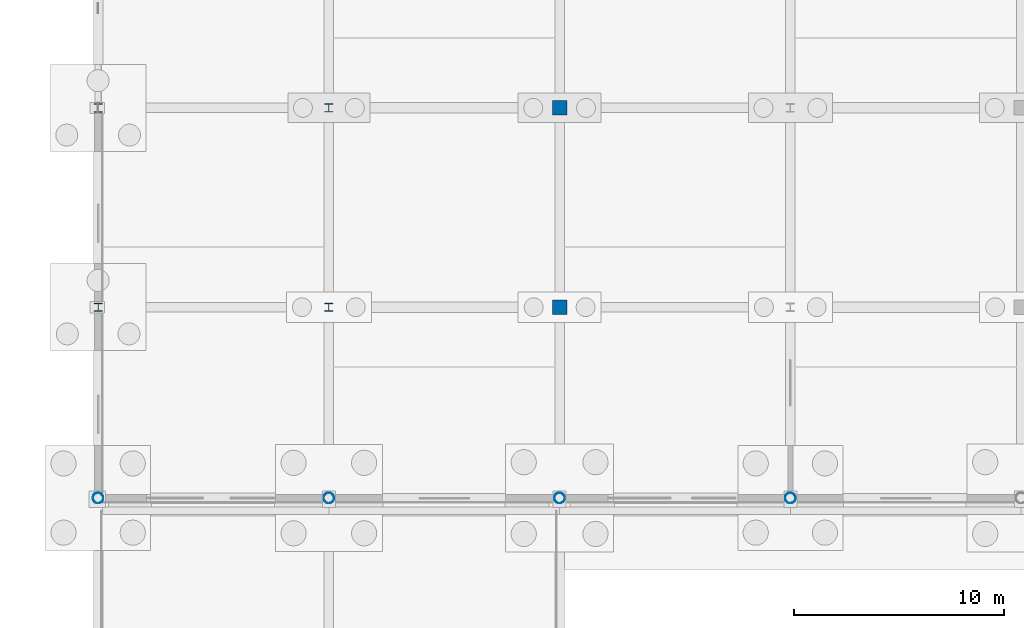
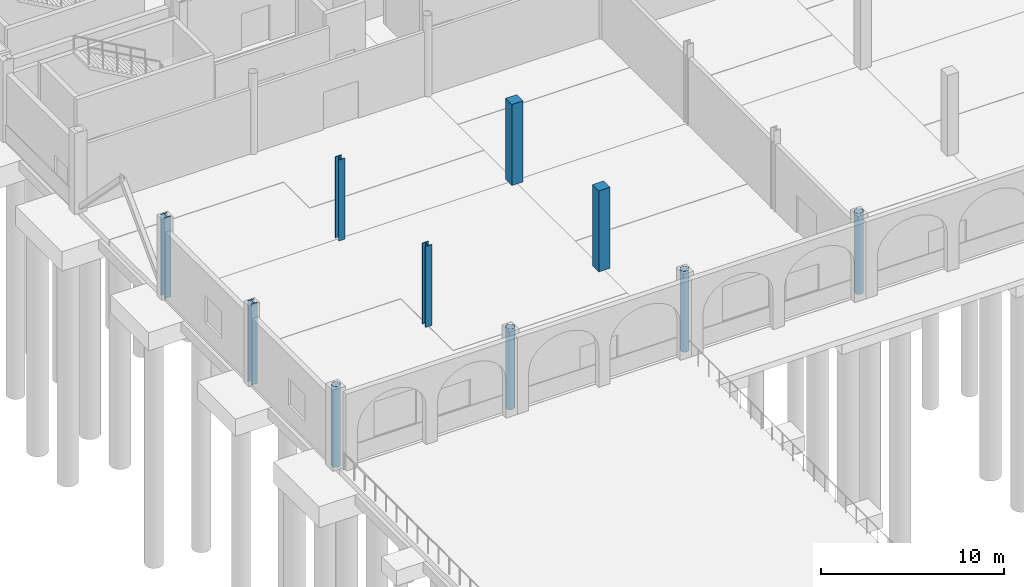
# One storey, part 15 of 83: 10 columns.
"""IFC4 building model written with IfcOpenShell, lengths in metres."""

from ifc_helpers import new_model, si_unit, direction, frame, origin, origin_2d, place, context, subcontext, project, spatial, rectangle, hollow_circle, i_section, extrude, material, material_profile, profile_set, type_object, element, save


model = new_model("IFC4")

# Units and contexts
model_context = context("Model", 3, precision=1e-05, world=origin(), true_north=direction((0.0, 1.0)))
body_context = subcontext(model_context, "Body", "Model", "MODEL_VIEW")
ifc_project = project(units=[si_unit("LENGTHUNIT", "METRE"), si_unit("AREAUNIT", "SQUARE_METRE"), si_unit("VOLUMEUNIT", "CUBIC_METRE"), si_unit("PLANEANGLEUNIT", "RADIAN"), si_unit("MASSUNIT", "GRAM", prefix="KILO")], contexts=[model_context])

# Site, building, storey
site_placement = place(None, origin())
site = spatial("IfcSite", under=ifc_project, at=site_placement, CompositionType="ELEMENT")
building_placement = place(site_placement, origin())
building = spatial("IfcBuilding", under=site, at=building_placement, Name="Caurita Quay Ferry Terminal", CompositionType="ELEMENT")
storey_placement = place(building_placement, origin())
storey = spatial("IfcBuildingStorey", under=building, at=storey_placement, Name="L00", CompositionType="ELEMENT", Elevation=0.0)

# Columns
ifc_material_1 = material(Name="Hollow structural steel ASTM A500 Gr. C", Category="steel")
ifc_material_profile_1 = material_profile(ifc_material_1, hollow_circle(Radius=0.25390625, WallThickness=0.01171875, at=origin_2d()), Name="HSS20.000X0.500")
ifc_profile_set_1 = profile_set([ifc_material_profile_1], Name="Hollow structural steel ASTM A500 Gr. C")
column_type_1 = type_object("IfcColumnType", Name="COL-MST-01", PredefinedType="COLUMN", material=ifc_profile_set_1)
for number, where, z_axis, x_axis, name in (
    (1, (0.0, 34.60009765625, 0.0), (0.0, 0.0, 1.0), (1.0, 0.0, 0.0), "L00 Column V1-MST-01-S"),
    (2, (11.0, 34.60009765625, 0.0), (0.0, 0.0, 1.0), (1.0, 0.0, 0.0), "L00 Column V1-MST-02-S"),
    (3, (22.0, 34.60009765625, 0.0), (0.0, 0.0, 1.0), (1.0, 0.0, 0.0), "L00 Column V1-MST-03-S"),
    (4, (33.0, 34.60009765625, 0.0), (0.0, 0.0, 1.0), (1.0, 0.0, 0.0), "L00 Column V1-MST-04-S"),
):
    element("IfcColumn", number, at=place(storey_placement, frame(where, z_axis=z_axis, x_axis=x_axis)), inside=storey, type_object=column_type_1, Name=name, PredefinedType="COLUMN", context=body_context, shape_type="SweptSolid", body=[
        extrude(hollow_circle(Radius=0.25390625, WallThickness=0.01171875, at=origin_2d()), origin(), (0.0, 0.0, 1.0), 5.39990234375),
    ])
ifc_material_2 = material(Name="Reinforced concrete C35/45", Category="concrete")
ifc_material_profile_2 = material_profile(ifc_material_2, rectangle(XDim=0.699951171875, YDim=0.699951171875, at=origin_2d()), Name="RC-COL-700X700")
ifc_profile_set_2 = profile_set([ifc_material_profile_2], Name="Reinforced concrete C35/45")
column_type_2 = type_object("IfcColumnType", Name="COL-RC-700", PredefinedType="COLUMN", material=ifc_profile_set_2)
for number, where, z_axis, x_axis, name in (
    (5, (22.0, 43.699951171875, 0.0), (0.0, 0.0, 1.0), (1.0, 0.0, 0.0), "L00 Column V1-SUB-03-G"),
    (6, (22.0, 53.199951171875, 0.0), (0.0, 0.0, 1.0), (1.0, 0.0, 0.0), "L00 Column V1-SUB-03-H"),
):
    element("IfcColumn", number, at=place(storey_placement, frame(where, z_axis=z_axis, x_axis=x_axis)), inside=storey, type_object=column_type_2, Name=name, PredefinedType="COLUMN", context=body_context, shape_type="SweptSolid", body=[
        extrude(rectangle(XDim=0.699951171875, YDim=0.699951171875, at=origin_2d()), origin(), (0.0, 0.0, 1.0), 5.39990234375),
    ])
ifc_material_3 = material(Name="Structural steel ASTM A992 Gr. 50", Category="steel")
ifc_material_profile_3 = material_profile(ifc_material_3, i_section(OverallWidth=0.406494140625, OverallDepth=0.41650390625, WebThickness=0.02978515625, FlangeThickness=0.048095703125, FilletRadius=0.017822265625, at=origin_2d()), Name="W14X257")
ifc_profile_set_3 = profile_set([ifc_material_profile_3], Name="Structural steel ASTM A992 Gr. 50")
column_type_3 = type_object("IfcColumnType", Name="COL-STL-02", PredefinedType="COLUMN", material=ifc_profile_set_3)
for number, where, z_axis, x_axis, name in (
    (7, (0.0, 43.699951171875, 0.0), (0.0, 0.0, 1.0), (1.0, 0.0, 0.0), "L00 Column V1-GBL-01-G"),
    (8, (0.0, 53.199951171875, 0.0), (0.0, 0.0, 1.0), (1.0, 0.0, 0.0), "L00 Column V1-GBL-01-H"),
):
    element("IfcColumn", number, at=place(storey_placement, frame(where, z_axis=z_axis, x_axis=x_axis)), inside=storey, type_object=column_type_3, Name=name, PredefinedType="COLUMN", context=body_context, shape_type="SweptSolid", body=[
        extrude(i_section(OverallWidth=0.406494140625, OverallDepth=0.41650390625, WebThickness=0.02978515625, FlangeThickness=0.048095703125, FilletRadius=0.017822265625, at=origin_2d()), origin(), (0.0, 0.0, 1.0), 5.39990234375),
    ])
ifc_material_profile_4 = material_profile(ifc_material_3, i_section(OverallWidth=0.40087890625, OverallDepth=0.39892578125, WebThickness=0.02490234375, FlangeThickness=0.03955078125, at=origin_2d()), Name="W14X211")
ifc_profile_set_4 = profile_set([ifc_material_profile_4], Name="Structural steel ASTM A992 Gr. 50")
column_type_4 = type_object("IfcColumnType", Name="COL-STL-03", PredefinedType="COLUMN", material=ifc_profile_set_4)
for number, where, z_axis, x_axis, name in (
    (9, (11.0, 43.699951171875, 0.0), (0.0, 0.0, 1.0), (1.0, 0.0, 0.0), "L00 Column V1-SUB-02-G"),
    (10, (11.0, 53.199951171875, 0.0), (0.0, 0.0, 1.0), (1.0, 0.0, 0.0), "L00 Column V1-SUB-02-H"),
):
    element("IfcColumn", number, at=place(storey_placement, frame(where, z_axis=z_axis, x_axis=x_axis)), inside=storey, type_object=column_type_4, Name=name, PredefinedType="COLUMN", context=body_context, shape_type="SweptSolid", body=[
        extrude(i_section(OverallWidth=0.40087890625, OverallDepth=0.39892578125, WebThickness=0.02490234375, FlangeThickness=0.03955078125, at=origin_2d()), origin(), (0.0, 0.0, 1.0), 5.39990234375),
    ])

save(model, "model.ifc")
